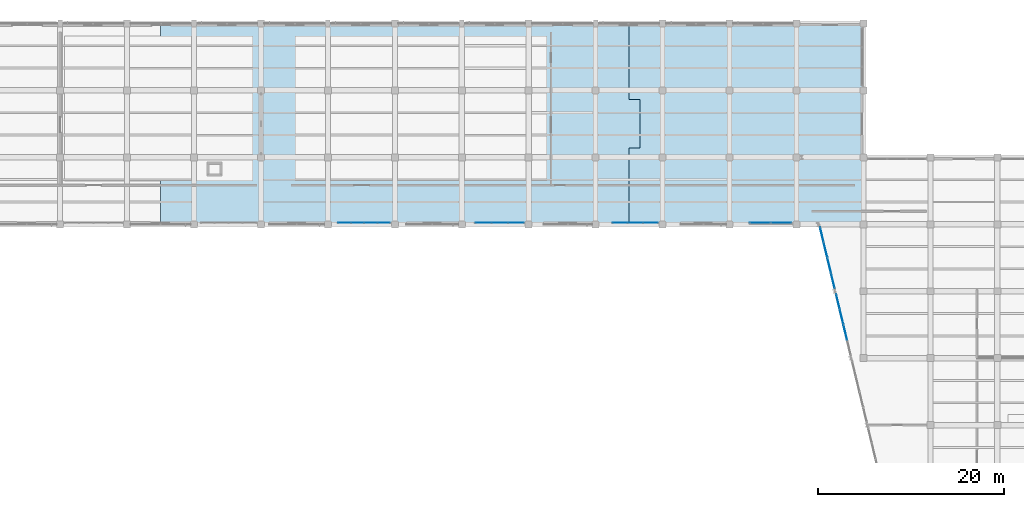
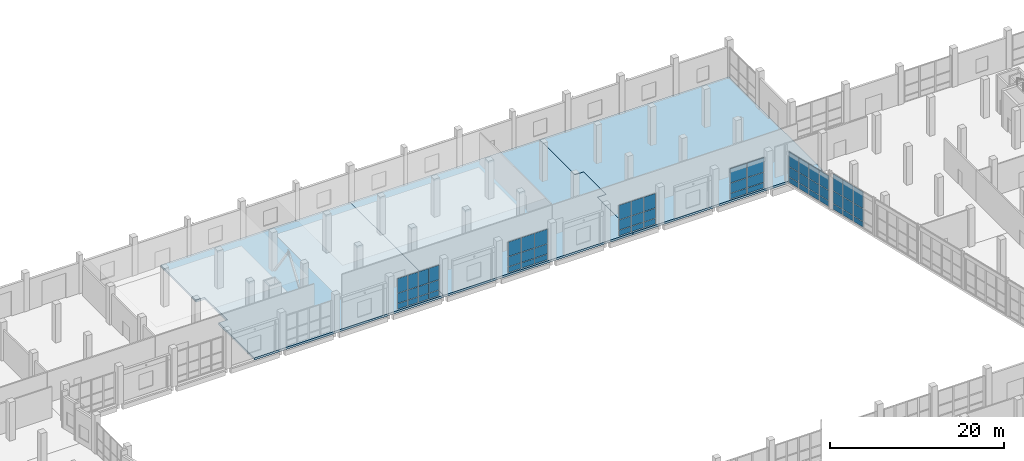
# One storey, part 91 of 137: 57 plates, 3 slabs, 6 elements without a shape of their own.
"""IFC4 building model written with IfcOpenShell, lengths in metres."""

from ifc_helpers import new_model, si_unit, direction, frame, origin, origin_2d, place, context, subcontext, project, spatial, polyline, rectangle, outline, extrude, material, layer, layer_set, type_object, element, aggregate, save


model = new_model("IFC4")

# Units and contexts
model_context = context("Model", 3, precision=1e-05, world=origin(), true_north=direction((0.0, 1.0)))
body_context = subcontext(model_context, "Body", "Model", "MODEL_VIEW")
ifc_project = project(units=[si_unit("LENGTHUNIT", "METRE"), si_unit("AREAUNIT", "SQUARE_METRE"), si_unit("VOLUMEUNIT", "CUBIC_METRE"), si_unit("PLANEANGLEUNIT", "RADIAN"), si_unit("MASSUNIT", "GRAM", prefix="KILO")], contexts=[model_context])

# Site, building, storey
site_placement = place(None, origin())
site = spatial("IfcSite", under=ifc_project, at=site_placement, CompositionType="ELEMENT")
building_placement = place(site_placement, origin())
building = spatial("IfcBuilding", under=site, at=building_placement, Name="Kalmorath City Hall", CompositionType="ELEMENT")
storey_placement = place(building_placement, origin())
storey = spatial("IfcBuildingStorey", under=building, at=storey_placement, Name="L00", CompositionType="ELEMENT", Elevation=0.0)

# Slabs
ifc_material_1 = material(Name="Concrete C40/50", Category="concrete")
ifc_layer_1 = layer(ifc_material_1, 0.300048828125)
ifc_layer_set_1 = layer_set([ifc_layer_1], Name="Concrete C40/50")
slab_type = type_object("IfcSlabType", Name="Concrete ground floor slab 300", PredefinedType="FLOOR", material=ifc_layer_set_1)
slab_1_placement = place(storey_placement, frame((0.0, 0.0, -0.300048828125)))
element("IfcSlab", 1, at=slab_1_placement, inside=storey, type_object=slab_type, Name="L00 Basalt Rear Committee Wing slab FS1-2", PredefinedType="FLOOR", context=body_context, shape_type="SweptSolid", body=[
    extrude(outline(polyline([(54.0, 101.800048828125), (55.14990234375, 101.800048828125), (55.14990234375, 107.0), (54.0, 107.0), (54.0, 115.199951171875), (79.199951171875, 115.199951171875), (79.199951171875, 93.60009765625), (54.0, 93.60009765625), (54.0, 101.800048828125)])), origin(), (0.0, 0.0, 1.0), 0.300048828125),
])
slab_2_placement = place(storey_placement, frame((0.0, 0.0, -0.300048828125)))
element("IfcSlab", 2, at=slab_2_placement, inside=storey, type_object=slab_type, Name="L00 Basalt Rear Committee Wing slab FS1-3", PredefinedType="FLOOR", context=body_context, shape_type="SweptSolid", body=[
    extrude(outline(polyline([(79.199951171875, 115.199951171875), (104.39990234375, 115.199951171875), (104.39990234375, 107.0), (105.550048828125, 107.0), (105.550048828125, 101.800048828125), (104.39990234375, 101.800048828125), (104.39990234375, 93.60009765625), (79.199951171875, 93.60009765625), (79.199951171875, 115.199951171875)])), origin(), (0.0, 0.0, 1.0), 0.300048828125),
])
slab_3_placement = place(storey_placement, frame((0.0, 0.0, -0.300048828125)))
element("IfcSlab", 3, at=slab_3_placement, inside=storey, type_object=slab_type, Name="L00 Basalt Rear Committee Wing slab FS1-4", PredefinedType="FLOOR", context=body_context, shape_type="SweptSolid", body=[
    extrude(outline(polyline([(104.39990234375, 93.60009765625), (104.39990234375, 101.800048828125), (105.550048828125, 101.800048828125), (105.550048828125, 107.0), (104.39990234375, 107.0), (104.39990234375, 115.199951171875), (129.60009765625, 115.199951171875), (129.60009765625, 93.60009765625), (104.39990234375, 93.60009765625)])), origin(), (0.0, 0.0, 1.0), 0.300048828125),
])

# Curtain wall, plates
ifc_material_2 = material(Name="Anodised aluminium and laminated glass", Category="aluminium")
curtain_wall_type_1 = type_object("IfcCurtainWallType", Name="Unitised hurricane curtain wall 4966x4411 M1550", PredefinedType="NOTDEFINED", material=ifc_material_2)
curtain_wall_1_placement = place(storey_placement, origin())
curtain_wall_1 = element("IfcCurtainWall", 4, at=curtain_wall_1_placement, inside=storey, type_object=curtain_wall_type_1, Name="L00 curtain wall CW-50X44M16 #49", PredefinedType="NOTDEFINED")
ifc_material_3 = material(Name="Hurricane laminated low-E glass", Category="glass")
ifc_layer_2 = layer(ifc_material_3, 0.028076171875)
ifc_layer_set_2 = layer_set([ifc_layer_2], Name="Hurricane laminated low-E glass")
plate_type_1 = type_object("IfcPlateType", Name="Courtyard solar-control glazed panel 28", PredefinedType="CURTAIN_PANEL", material=ifc_layer_set_2)
plate_1_placement = place(storey_placement, frame((106.691162109375, 93.760009765625, 0.06005859375), z_axis=(0.0, 0.0, 1.0), x_axis=(-1.0, 0.0, 0.0)))
plate_1 = element("IfcPlate", 5, at=plate_1_placement, type_object=plate_type_1, Name="CW-50X44M16 panel 1.1", PredefinedType="CURTAIN_PANEL", context=body_context, shape_type="SweptSolid", body=[
    extrude(rectangle(XDim=1.557861328125, YDim=0.028076171875, at=origin_2d()), origin(), (0.0, 0.0, 1.0), 0.760009765625),
])
plate_2_placement = place(storey_placement, frame((106.691162109375, 93.760009765625, 0.8798828125), z_axis=(0.0, 0.0, 1.0), x_axis=(-1.0, 0.0, 0.0)))
plate_2 = element("IfcPlate", 6, at=plate_2_placement, type_object=plate_type_1, Name="CW-50X44M16 panel 1.2", PredefinedType="CURTAIN_PANEL", context=body_context, shape_type="SweptSolid", body=[
    extrude(rectangle(XDim=1.557861328125, YDim=0.028076171875, at=origin_2d()), origin(), (0.0, 0.0, 1.0), 1.384033203125),
])
plate_3_placement = place(storey_placement, frame((106.691162109375, 93.760009765625, 2.32373046875), z_axis=(0.0, 0.0, 1.0), x_axis=(-1.0, 0.0, 0.0)))
plate_3 = element("IfcPlate", 7, at=plate_3_placement, type_object=plate_type_1, Name="CW-50X44M16 panel 1.3", PredefinedType="CURTAIN_PANEL", context=body_context, shape_type="SweptSolid", body=[
    extrude(rectangle(XDim=1.557861328125, YDim=0.028076171875, at=origin_2d()), origin(), (0.0, 0.0, 1.0), 2.027099609375),
])
plate_4_placement = place(storey_placement, frame((105.052001953125, 93.760009765625, 0.06005859375), z_axis=(0.0, 0.0, 1.0), x_axis=(-1.0, 0.0, 0.0)))
plate_4 = element("IfcPlate", 8, at=plate_4_placement, type_object=plate_type_1, Name="CW-50X44M16 panel 2.1", PredefinedType="CURTAIN_PANEL", context=body_context, shape_type="SweptSolid", body=[
    extrude(rectangle(XDim=1.59033203125, YDim=0.028076171875, at=origin_2d()), origin(), (0.0, 0.0, 1.0), 0.760009765625),
])
plate_5_placement = place(storey_placement, frame((105.052001953125, 93.760009765625, 0.8798828125), z_axis=(0.0, 0.0, 1.0), x_axis=(-1.0, 0.0, 0.0)))
plate_5 = element("IfcPlate", 9, at=plate_5_placement, type_object=plate_type_1, Name="CW-50X44M16 panel 2.2", PredefinedType="CURTAIN_PANEL", context=body_context, shape_type="SweptSolid", body=[
    extrude(rectangle(XDim=1.59033203125, YDim=0.028076171875, at=origin_2d()), origin(), (0.0, 0.0, 1.0), 1.384033203125),
])
plate_6_placement = place(storey_placement, frame((105.052001953125, 93.760009765625, 2.32373046875), z_axis=(0.0, 0.0, 1.0), x_axis=(-1.0, 0.0, 0.0)))
plate_6 = element("IfcPlate", 10, at=plate_6_placement, type_object=plate_type_1, Name="CW-50X44M16 panel 2.3", PredefinedType="CURTAIN_PANEL", context=body_context, shape_type="SweptSolid", body=[
    extrude(rectangle(XDim=1.59033203125, YDim=0.028076171875, at=origin_2d()), origin(), (0.0, 0.0, 1.0), 2.027099609375),
])
plate_7_placement = place(storey_placement, frame((103.412841796875, 93.760009765625, 0.06005859375), z_axis=(0.0, 0.0, 1.0), x_axis=(-1.0, 0.0, 0.0)))
plate_7 = element("IfcPlate", 11, at=plate_7_placement, type_object=plate_type_1, Name="CW-50X44M16 panel 3.1", PredefinedType="CURTAIN_PANEL", context=body_context, shape_type="SweptSolid", body=[
    extrude(rectangle(XDim=1.557861328125, YDim=0.028076171875, at=origin_2d()), origin(), (0.0, 0.0, 1.0), 0.760009765625),
])
plate_8_placement = place(storey_placement, frame((103.412841796875, 93.760009765625, 0.8798828125), z_axis=(0.0, 0.0, 1.0), x_axis=(-1.0, 0.0, 0.0)))
plate_8 = element("IfcPlate", 12, at=plate_8_placement, type_object=plate_type_1, Name="CW-50X44M16 panel 3.2", PredefinedType="CURTAIN_PANEL", context=body_context, shape_type="SweptSolid", body=[
    extrude(rectangle(XDim=1.557861328125, YDim=0.028076171875, at=origin_2d()), origin(), (0.0, 0.0, 1.0), 1.384033203125),
])
plate_9_placement = place(storey_placement, frame((103.412841796875, 93.760009765625, 2.32373046875), z_axis=(0.0, 0.0, 1.0), x_axis=(-1.0, 0.0, 0.0)))
plate_9 = element("IfcPlate", 13, at=plate_9_placement, type_object=plate_type_1, Name="CW-50X44M16 panel 3.3", PredefinedType="CURTAIN_PANEL", context=body_context, shape_type="SweptSolid", body=[
    extrude(rectangle(XDim=1.557861328125, YDim=0.028076171875, at=origin_2d()), origin(), (0.0, 0.0, 1.0), 2.027099609375),
])
aggregate(curtain_wall_1, [plate_1, plate_2, plate_3, plate_4, plate_5, plate_6, plate_7, plate_8, plate_9])

ifc_material_4 = material(Name="Anodised aluminium and laminated glass", Category="aluminium")
curtain_wall_type_2 = type_object("IfcCurtainWallType", Name="Unitised hurricane curtain wall 5320x4411 M1550", PredefinedType="NOTDEFINED", material=ifc_material_4)
curtain_wall_2_placement = place(storey_placement, origin())
curtain_wall_2 = element("IfcCurtainWall", 14, at=curtain_wall_2_placement, inside=storey, type_object=curtain_wall_type_2, Name="L00 curtain wall CW-53X44M16 #50", PredefinedType="NOTDEFINED")
plate_10_placement = place(storey_placement, frame((92.232177734375, 93.760009765625, 0.06005859375), z_axis=(0.0, 0.0, 1.0), x_axis=(-1.0, 0.0, 0.0)))
plate_10 = element("IfcPlate", 15, at=plate_10_placement, type_object=plate_type_1, Name="CW-53X44M16 panel 1.1", PredefinedType="CURTAIN_PANEL", context=body_context, shape_type="SweptSolid", body=[
    extrude(rectangle(XDim=1.67578125, YDim=0.028076171875, at=origin_2d()), origin(), (0.0, 0.0, 1.0), 0.760009765625),
])
plate_11_placement = place(storey_placement, frame((92.232177734375, 93.760009765625, 0.8798828125), z_axis=(0.0, 0.0, 1.0), x_axis=(-1.0, 0.0, 0.0)))
plate_11 = element("IfcPlate", 16, at=plate_11_placement, type_object=plate_type_1, Name="CW-53X44M16 panel 1.2", PredefinedType="CURTAIN_PANEL", context=body_context, shape_type="SweptSolid", body=[
    extrude(rectangle(XDim=1.67578125, YDim=0.028076171875, at=origin_2d()), origin(), (0.0, 0.0, 1.0), 1.384033203125),
])
plate_12_placement = place(storey_placement, frame((92.232177734375, 93.760009765625, 2.32373046875), z_axis=(0.0, 0.0, 1.0), x_axis=(-1.0, 0.0, 0.0)))
plate_12 = element("IfcPlate", 17, at=plate_12_placement, type_object=plate_type_1, Name="CW-53X44M16 panel 1.3", PredefinedType="CURTAIN_PANEL", context=body_context, shape_type="SweptSolid", body=[
    extrude(rectangle(XDim=1.67578125, YDim=0.028076171875, at=origin_2d()), origin(), (0.0, 0.0, 1.0), 2.027099609375),
])
plate_13_placement = place(storey_placement, frame((90.47509765625, 93.760009765625, 0.06005859375), z_axis=(0.0, 0.0, 1.0), x_axis=(-1.0, 0.0, 0.0)))
plate_13 = element("IfcPlate", 18, at=plate_13_placement, type_object=plate_type_1, Name="CW-53X44M16 panel 2.1", PredefinedType="CURTAIN_PANEL", context=body_context, shape_type="SweptSolid", body=[
    extrude(rectangle(XDim=1.708251953125, YDim=0.028076171875, at=origin_2d()), origin(), (0.0, 0.0, 1.0), 0.760009765625),
])
plate_14_placement = place(storey_placement, frame((90.47509765625, 93.760009765625, 0.8798828125), z_axis=(0.0, 0.0, 1.0), x_axis=(-1.0, 0.0, 0.0)))
plate_14 = element("IfcPlate", 19, at=plate_14_placement, type_object=plate_type_1, Name="CW-53X44M16 panel 2.2", PredefinedType="CURTAIN_PANEL", context=body_context, shape_type="SweptSolid", body=[
    extrude(rectangle(XDim=1.708251953125, YDim=0.028076171875, at=origin_2d()), origin(), (0.0, 0.0, 1.0), 1.384033203125),
])
plate_15_placement = place(storey_placement, frame((90.47509765625, 93.760009765625, 2.32373046875), z_axis=(0.0, 0.0, 1.0), x_axis=(-1.0, 0.0, 0.0)))
plate_15 = element("IfcPlate", 20, at=plate_15_placement, type_object=plate_type_1, Name="CW-53X44M16 panel 2.3", PredefinedType="CURTAIN_PANEL", context=body_context, shape_type="SweptSolid", body=[
    extrude(rectangle(XDim=1.708251953125, YDim=0.028076171875, at=origin_2d()), origin(), (0.0, 0.0, 1.0), 2.027099609375),
])
plate_16_placement = place(storey_placement, frame((88.718017578125, 93.760009765625, 0.06005859375), z_axis=(0.0, 0.0, 1.0), x_axis=(-1.0, 0.0, 0.0)))
plate_16 = element("IfcPlate", 21, at=plate_16_placement, type_object=plate_type_1, Name="CW-53X44M16 panel 3.1", PredefinedType="CURTAIN_PANEL", context=body_context, shape_type="SweptSolid", body=[
    extrude(rectangle(XDim=1.67578125, YDim=0.028076171875, at=origin_2d()), origin(), (0.0, 0.0, 1.0), 0.760009765625),
])
plate_17_placement = place(storey_placement, frame((88.718017578125, 93.760009765625, 0.8798828125), z_axis=(0.0, 0.0, 1.0), x_axis=(-1.0, 0.0, 0.0)))
plate_17 = element("IfcPlate", 22, at=plate_17_placement, type_object=plate_type_1, Name="CW-53X44M16 panel 3.2", PredefinedType="CURTAIN_PANEL", context=body_context, shape_type="SweptSolid", body=[
    extrude(rectangle(XDim=1.67578125, YDim=0.028076171875, at=origin_2d()), origin(), (0.0, 0.0, 1.0), 1.384033203125),
])
plate_18_placement = place(storey_placement, frame((88.718017578125, 93.760009765625, 2.32373046875), z_axis=(0.0, 0.0, 1.0), x_axis=(-1.0, 0.0, 0.0)))
plate_18 = element("IfcPlate", 23, at=plate_18_placement, type_object=plate_type_1, Name="CW-53X44M16 panel 3.3", PredefinedType="CURTAIN_PANEL", context=body_context, shape_type="SweptSolid", body=[
    extrude(rectangle(XDim=1.67578125, YDim=0.028076171875, at=origin_2d()), origin(), (0.0, 0.0, 1.0), 2.027099609375),
])
aggregate(curtain_wall_2, [plate_10, plate_11, plate_12, plate_13, plate_14, plate_15, plate_16, plate_17, plate_18])

ifc_material_5 = material(Name="Anodised aluminium and laminated glass", Category="aluminium")
curtain_wall_type_3 = type_object("IfcCurtainWallType", Name="Unitised hurricane curtain wall 5674x4411 M1550", PredefinedType="NOTDEFINED", material=ifc_material_5)
curtain_wall_3_placement = place(storey_placement, origin())
curtain_wall_3 = element("IfcCurtainWall", 24, at=curtain_wall_3_placement, inside=storey, type_object=curtain_wall_type_3, Name="L00 curtain wall CW-57X44M16 #51", PredefinedType="NOTDEFINED")
plate_19_placement = place(storey_placement, frame((78.009521484375, 93.760009765625, 0.06005859375), z_axis=(0.0, 0.0, 1.0), x_axis=(-1.0, 0.0, 0.0)))
plate_19 = element("IfcPlate", 25, at=plate_19_placement, type_object=plate_type_1, Name="CW-57X44M16 panel 1.1", PredefinedType="CURTAIN_PANEL", context=body_context, shape_type="SweptSolid", body=[
    extrude(rectangle(XDim=1.32080078125, YDim=0.028076171875, at=origin_2d()), origin(), (0.0, 0.0, 1.0), 0.760009765625),
])
plate_20_placement = place(storey_placement, frame((78.009521484375, 93.760009765625, 0.8798828125), z_axis=(0.0, 0.0, 1.0), x_axis=(-1.0, 0.0, 0.0)))
plate_20 = element("IfcPlate", 26, at=plate_20_placement, type_object=plate_type_1, Name="CW-57X44M16 panel 1.2", PredefinedType="CURTAIN_PANEL", context=body_context, shape_type="SweptSolid", body=[
    extrude(rectangle(XDim=1.32080078125, YDim=0.028076171875, at=origin_2d()), origin(), (0.0, 0.0, 1.0), 1.384033203125),
])
plate_21_placement = place(storey_placement, frame((78.009521484375, 93.760009765625, 2.32373046875), z_axis=(0.0, 0.0, 1.0), x_axis=(-1.0, 0.0, 0.0)))
plate_21 = element("IfcPlate", 27, at=plate_21_placement, type_object=plate_type_1, Name="CW-57X44M16 panel 1.3", PredefinedType="CURTAIN_PANEL", context=body_context, shape_type="SweptSolid", body=[
    extrude(rectangle(XDim=1.32080078125, YDim=0.028076171875, at=origin_2d()), origin(), (0.0, 0.0, 1.0), 2.027099609375),
])
plate_22_placement = place(storey_placement, frame((76.607421875, 93.760009765625, 0.06005859375), z_axis=(0.0, 0.0, 1.0), x_axis=(-1.0, 0.0, 0.0)))
plate_22 = element("IfcPlate", 28, at=plate_22_placement, type_object=plate_type_1, Name="CW-57X44M16 panel 2.1", PredefinedType="CURTAIN_PANEL", context=body_context, shape_type="SweptSolid", body=[
    extrude(rectangle(XDim=1.353515625, YDim=0.028076171875, at=origin_2d()), origin(), (0.0, 0.0, 1.0), 0.760009765625),
])
plate_23_placement = place(storey_placement, frame((76.607421875, 93.760009765625, 0.8798828125), z_axis=(0.0, 0.0, 1.0), x_axis=(-1.0, 0.0, 0.0)))
plate_23 = element("IfcPlate", 29, at=plate_23_placement, type_object=plate_type_1, Name="CW-57X44M16 panel 2.2", PredefinedType="CURTAIN_PANEL", context=body_context, shape_type="SweptSolid", body=[
    extrude(rectangle(XDim=1.353515625, YDim=0.028076171875, at=origin_2d()), origin(), (0.0, 0.0, 1.0), 1.384033203125),
])
plate_24_placement = place(storey_placement, frame((76.607421875, 93.760009765625, 2.32373046875), z_axis=(0.0, 0.0, 1.0), x_axis=(-1.0, 0.0, 0.0)))
plate_24 = element("IfcPlate", 30, at=plate_24_placement, type_object=plate_type_1, Name="CW-57X44M16 panel 2.3", PredefinedType="CURTAIN_PANEL", context=body_context, shape_type="SweptSolid", body=[
    extrude(rectangle(XDim=1.353515625, YDim=0.028076171875, at=origin_2d()), origin(), (0.0, 0.0, 1.0), 2.027099609375),
])
plate_25_placement = place(storey_placement, frame((75.18896484375, 93.760009765625, 0.06005859375), z_axis=(0.0, 0.0, 1.0), x_axis=(-1.0, 0.0, 0.0)))
plate_25 = element("IfcPlate", 31, at=plate_25_placement, type_object=plate_type_1, Name="CW-57X44M16 panel 3.1", PredefinedType="CURTAIN_PANEL", context=body_context, shape_type="SweptSolid", body=[
    extrude(rectangle(XDim=1.353515625, YDim=0.028076171875, at=origin_2d()), origin(), (0.0, 0.0, 1.0), 0.760009765625),
])
plate_26_placement = place(storey_placement, frame((75.18896484375, 93.760009765625, 0.8798828125), z_axis=(0.0, 0.0, 1.0), x_axis=(-1.0, 0.0, 0.0)))
plate_26 = element("IfcPlate", 32, at=plate_26_placement, type_object=plate_type_1, Name="CW-57X44M16 panel 3.2", PredefinedType="CURTAIN_PANEL", context=body_context, shape_type="SweptSolid", body=[
    extrude(rectangle(XDim=1.353515625, YDim=0.028076171875, at=origin_2d()), origin(), (0.0, 0.0, 1.0), 1.384033203125),
])
plate_27_placement = place(storey_placement, frame((75.18896484375, 93.760009765625, 2.32373046875), z_axis=(0.0, 0.0, 1.0), x_axis=(-1.0, 0.0, 0.0)))
plate_27 = element("IfcPlate", 33, at=plate_27_placement, type_object=plate_type_1, Name="CW-57X44M16 panel 3.3", PredefinedType="CURTAIN_PANEL", context=body_context, shape_type="SweptSolid", body=[
    extrude(rectangle(XDim=1.353515625, YDim=0.028076171875, at=origin_2d()), origin(), (0.0, 0.0, 1.0), 2.027099609375),
])
plate_28_placement = place(storey_placement, frame((73.786865234375, 93.760009765625, 0.06005859375), z_axis=(0.0, 0.0, 1.0), x_axis=(-1.0, 0.0, 0.0)))
plate_28 = element("IfcPlate", 34, at=plate_28_placement, type_object=plate_type_1, Name="CW-57X44M16 panel 4.1", PredefinedType="CURTAIN_PANEL", context=body_context, shape_type="SweptSolid", body=[
    extrude(rectangle(XDim=1.32080078125, YDim=0.028076171875, at=origin_2d()), origin(), (0.0, 0.0, 1.0), 0.760009765625),
])
plate_29_placement = place(storey_placement, frame((73.786865234375, 93.760009765625, 0.8798828125), z_axis=(0.0, 0.0, 1.0), x_axis=(-1.0, 0.0, 0.0)))
plate_29 = element("IfcPlate", 35, at=plate_29_placement, type_object=plate_type_1, Name="CW-57X44M16 panel 4.2", PredefinedType="CURTAIN_PANEL", context=body_context, shape_type="SweptSolid", body=[
    extrude(rectangle(XDim=1.32080078125, YDim=0.028076171875, at=origin_2d()), origin(), (0.0, 0.0, 1.0), 1.384033203125),
])
plate_30_placement = place(storey_placement, frame((73.786865234375, 93.760009765625, 2.32373046875), z_axis=(0.0, 0.0, 1.0), x_axis=(-1.0, 0.0, 0.0)))
plate_30 = element("IfcPlate", 36, at=plate_30_placement, type_object=plate_type_1, Name="CW-57X44M16 panel 4.3", PredefinedType="CURTAIN_PANEL", context=body_context, shape_type="SweptSolid", body=[
    extrude(rectangle(XDim=1.32080078125, YDim=0.028076171875, at=origin_2d()), origin(), (0.0, 0.0, 1.0), 2.027099609375),
])
aggregate(curtain_wall_3, [plate_19, plate_20, plate_21, plate_22, plate_23, plate_24, plate_25, plate_26, plate_27, plate_28, plate_29, plate_30])

ifc_material_6 = material(Name="Anodised aluminium and laminated glass", Category="aluminium")
curtain_wall_type_4 = type_object("IfcCurtainWallType", Name="Unitised hurricane curtain wall 6849x5120 M1850", PredefinedType="NOTDEFINED", material=ifc_material_6)
curtain_wall_4_placement = place(storey_placement, origin())
curtain_wall_4 = element("IfcCurtainWall", 37, at=curtain_wall_4_placement, inside=storey, type_object=curtain_wall_type_4, Name="L00 curtain wall CW-68X51M18 #46", PredefinedType="NOTDEFINED")
ifc_material_7 = material(Name="Hurricane laminated low-E glass", Category="glass")
ifc_layer_3 = layer(ifc_material_7, 0.035888671875)
ifc_layer_set_3 = layer_set([ifc_layer_3], Name="Hurricane laminated low-E glass")
plate_type_2 = type_object("IfcPlateType", Name="Library acoustic low-E glazed panel 36", PredefinedType="CURTAIN_PANEL", material=ifc_layer_set_3)
plate_31_placement = place(storey_placement, frame((127.656982421875, 81.967529296875, 0.06005859375), z_axis=(0.0, 0.0, 1.0), x_axis=(-0.233455781305, 0.97236741933, 0.0)))
plate_31 = element("IfcPlate", 38, at=plate_31_placement, type_object=plate_type_2, Name="CW-68X51M18 panel 2.1", PredefinedType="CURTAIN_PANEL", context=body_context, shape_type="SweptSolid", body=[
    extrude(rectangle(XDim=1.63720703125, YDim=0.035888671875, at=origin_2d()), origin(), (0.0, 0.0, 1.0), 0.760009765625),
])
plate_32_placement = place(storey_placement, frame((127.656982421875, 81.967529296875, 0.880126953125), z_axis=(0.0, 0.0, 1.0), x_axis=(-0.233455781305, 0.97236741933, 0.0)))
plate_32 = element("IfcPlate", 39, at=plate_32_placement, type_object=plate_type_2, Name="CW-68X51M18 panel 2.2", PredefinedType="CURTAIN_PANEL", context=body_context, shape_type="SweptSolid", body=[
    extrude(rectangle(XDim=1.63720703125, YDim=0.035888671875, at=origin_2d()), origin(), (0.0, 0.0, 1.0), 1.751953125),
])
plate_33_placement = place(storey_placement, frame((127.656982421875, 81.967529296875, 2.69189453125), z_axis=(0.0, 0.0, 1.0), x_axis=(-0.233455781305, 0.97236741933, 0.0)))
plate_33 = element("IfcPlate", 40, at=plate_33_placement, type_object=plate_type_2, Name="CW-68X51M18 panel 2.3", PredefinedType="CURTAIN_PANEL", context=body_context, shape_type="SweptSolid", body=[
    extrude(rectangle(XDim=1.63720703125, YDim=0.035888671875, at=origin_2d()), origin(), (0.0, 0.0, 1.0), 2.367919921875),
])
plate_34_placement = place(storey_placement, frame((127.25732421875, 83.632568359375, 0.06005859375), z_axis=(0.0, 0.0, 1.0), x_axis=(-0.233455781305, 0.97236741933, 0.0)))
plate_34 = element("IfcPlate", 41, at=plate_34_placement, type_object=plate_type_2, Name="CW-68X51M18 panel 3.1", PredefinedType="CURTAIN_PANEL", context=body_context, shape_type="SweptSolid", body=[
    extrude(rectangle(XDim=1.63720703125, YDim=0.035888671875, at=origin_2d()), origin(), (0.0, 0.0, 1.0), 0.760009765625),
])
plate_35_placement = place(storey_placement, frame((127.25732421875, 83.632568359375, 0.880126953125), z_axis=(0.0, 0.0, 1.0), x_axis=(-0.233455781305, 0.97236741933, 0.0)))
plate_35 = element("IfcPlate", 42, at=plate_35_placement, type_object=plate_type_2, Name="CW-68X51M18 panel 3.2", PredefinedType="CURTAIN_PANEL", context=body_context, shape_type="SweptSolid", body=[
    extrude(rectangle(XDim=1.63720703125, YDim=0.035888671875, at=origin_2d()), origin(), (0.0, 0.0, 1.0), 1.751953125),
])
plate_36_placement = place(storey_placement, frame((127.25732421875, 83.632568359375, 2.69189453125), z_axis=(0.0, 0.0, 1.0), x_axis=(-0.233455781305, 0.97236741933, 0.0)))
plate_36 = element("IfcPlate", 43, at=plate_36_placement, type_object=plate_type_2, Name="CW-68X51M18 panel 3.3", PredefinedType="CURTAIN_PANEL", context=body_context, shape_type="SweptSolid", body=[
    extrude(rectangle(XDim=1.63720703125, YDim=0.035888671875, at=origin_2d()), origin(), (0.0, 0.0, 1.0), 2.367919921875),
])
plate_37_placement = place(storey_placement, frame((126.86181640625, 85.279296875, 0.06005859375), z_axis=(0.0, 0.0, 1.0), x_axis=(-0.233455781305, 0.97236741933, 0.0)))
plate_37 = element("IfcPlate", 44, at=plate_37_placement, type_object=plate_type_2, Name="CW-68X51M18 panel 4.1", PredefinedType="CURTAIN_PANEL", context=body_context, shape_type="SweptSolid", body=[
    extrude(rectangle(XDim=1.599853515625, YDim=0.035888671875, at=origin_2d()), origin(), (0.0, 0.0, 1.0), 0.760009765625),
])
plate_38_placement = place(storey_placement, frame((126.86181640625, 85.279296875, 0.880126953125), z_axis=(0.0, 0.0, 1.0), x_axis=(-0.233455781305, 0.97236741933, 0.0)))
plate_38 = element("IfcPlate", 45, at=plate_38_placement, type_object=plate_type_2, Name="CW-68X51M18 panel 4.2", PredefinedType="CURTAIN_PANEL", context=body_context, shape_type="SweptSolid", body=[
    extrude(rectangle(XDim=1.599853515625, YDim=0.035888671875, at=origin_2d()), origin(), (0.0, 0.0, 1.0), 1.751953125),
])
plate_39_placement = place(storey_placement, frame((126.86181640625, 85.279296875, 2.69189453125), z_axis=(0.0, 0.0, 1.0), x_axis=(-0.233455781305, 0.97236741933, 0.0)))
plate_39 = element("IfcPlate", 46, at=plate_39_placement, type_object=plate_type_2, Name="CW-68X51M18 panel 4.3", PredefinedType="CURTAIN_PANEL", context=body_context, shape_type="SweptSolid", body=[
    extrude(rectangle(XDim=1.599853515625, YDim=0.035888671875, at=origin_2d()), origin(), (0.0, 0.0, 1.0), 2.367919921875),
])
aggregate(curtain_wall_4, [plate_31, plate_32, plate_33, plate_34, plate_35, plate_36, plate_37, plate_38, plate_39])

ifc_material_8 = material(Name="Anodised aluminium and laminated glass", Category="aluminium")
curtain_wall_type_5 = type_object("IfcCurtainWallType", Name="Unitised hurricane curtain wall 6849x4450 M1850", PredefinedType="NOTDEFINED", material=ifc_material_8)
curtain_wall_5_placement = place(storey_placement, origin())
curtain_wall_5 = element("IfcCurtainWall", 47, at=curtain_wall_5_placement, inside=storey, type_object=curtain_wall_type_5, Name="L00 curtain wall CW-68X44M18 #47", PredefinedType="NOTDEFINED")
plate_40_placement = place(storey_placement, frame((126.32373046875, 87.520751953125, 0.06005859375), z_axis=(0.0, 0.0, 1.0), x_axis=(-0.233455781305, 0.97236741933, 0.0)))
plate_40 = element("IfcPlate", 48, at=plate_40_placement, type_object=plate_type_2, Name="CW-68X44M18 panel 1.1", PredefinedType="CURTAIN_PANEL", context=body_context, shape_type="SweptSolid", body=[
    extrude(rectangle(XDim=1.599853515625, YDim=0.035888671875, at=origin_2d()), origin(), (0.0, 0.0, 1.0), 0.760009765625),
])
plate_41_placement = place(storey_placement, frame((126.32373046875, 87.520751953125, 0.8798828125), z_axis=(0.0, 0.0, 1.0), x_axis=(-0.233455781305, 0.97236741933, 0.0)))
plate_41 = element("IfcPlate", 49, at=plate_41_placement, type_object=plate_type_2, Name="CW-68X44M18 panel 1.2", PredefinedType="CURTAIN_PANEL", context=body_context, shape_type="SweptSolid", body=[
    extrude(rectangle(XDim=1.599853515625, YDim=0.035888671875, at=origin_2d()), origin(), (0.0, 0.0, 1.0), 1.404052734375),
])
plate_42_placement = place(storey_placement, frame((126.32373046875, 87.520751953125, 2.343994140625), z_axis=(0.0, 0.0, 1.0), x_axis=(-0.233455781305, 0.97236741933, 0.0)))
plate_42 = element("IfcPlate", 50, at=plate_42_placement, type_object=plate_type_2, Name="CW-68X44M18 panel 1.3", PredefinedType="CURTAIN_PANEL", context=body_context, shape_type="SweptSolid", body=[
    extrude(rectangle(XDim=1.599853515625, YDim=0.035888671875, at=origin_2d()), origin(), (0.0, 0.0, 1.0), 2.0458984375),
])
plate_43_placement = place(storey_placement, frame((125.928466796875, 89.16748046875, 0.06005859375), z_axis=(0.0, 0.0, 1.0), x_axis=(-0.233455781305, 0.97236741933, 0.0)))
plate_43 = element("IfcPlate", 51, at=plate_43_placement, type_object=plate_type_2, Name="CW-68X44M18 panel 2.1", PredefinedType="CURTAIN_PANEL", context=body_context, shape_type="SweptSolid", body=[
    extrude(rectangle(XDim=1.63720703125, YDim=0.035888671875, at=origin_2d()), origin(), (0.0, 0.0, 1.0), 0.760009765625),
])
plate_44_placement = place(storey_placement, frame((125.928466796875, 89.16748046875, 0.8798828125), z_axis=(0.0, 0.0, 1.0), x_axis=(-0.233455781305, 0.97236741933, 0.0)))
plate_44 = element("IfcPlate", 52, at=plate_44_placement, type_object=plate_type_2, Name="CW-68X44M18 panel 2.2", PredefinedType="CURTAIN_PANEL", context=body_context, shape_type="SweptSolid", body=[
    extrude(rectangle(XDim=1.63720703125, YDim=0.035888671875, at=origin_2d()), origin(), (0.0, 0.0, 1.0), 1.404052734375),
])
plate_45_placement = place(storey_placement, frame((125.928466796875, 89.16748046875, 2.343994140625), z_axis=(0.0, 0.0, 1.0), x_axis=(-0.233455781305, 0.97236741933, 0.0)))
plate_45 = element("IfcPlate", 53, at=plate_45_placement, type_object=plate_type_2, Name="CW-68X44M18 panel 2.3", PredefinedType="CURTAIN_PANEL", context=body_context, shape_type="SweptSolid", body=[
    extrude(rectangle(XDim=1.63720703125, YDim=0.035888671875, at=origin_2d()), origin(), (0.0, 0.0, 1.0), 2.0458984375),
])
plate_46_placement = place(storey_placement, frame((125.528564453125, 90.83251953125, 0.06005859375), z_axis=(0.0, 0.0, 1.0), x_axis=(-0.233455781305, 0.97236741933, 0.0)))
plate_46 = element("IfcPlate", 54, at=plate_46_placement, type_object=plate_type_2, Name="CW-68X44M18 panel 3.1", PredefinedType="CURTAIN_PANEL", context=body_context, shape_type="SweptSolid", body=[
    extrude(rectangle(XDim=1.63720703125, YDim=0.035888671875, at=origin_2d()), origin(), (0.0, 0.0, 1.0), 0.760009765625),
])
plate_47_placement = place(storey_placement, frame((125.528564453125, 90.83251953125, 0.8798828125), z_axis=(0.0, 0.0, 1.0), x_axis=(-0.233455781305, 0.97236741933, 0.0)))
plate_47 = element("IfcPlate", 55, at=plate_47_placement, type_object=plate_type_2, Name="CW-68X44M18 panel 3.2", PredefinedType="CURTAIN_PANEL", context=body_context, shape_type="SweptSolid", body=[
    extrude(rectangle(XDim=1.63720703125, YDim=0.035888671875, at=origin_2d()), origin(), (0.0, 0.0, 1.0), 1.404052734375),
])
plate_48_placement = place(storey_placement, frame((125.528564453125, 90.83251953125, 2.343994140625), z_axis=(0.0, 0.0, 1.0), x_axis=(-0.233455781305, 0.97236741933, 0.0)))
plate_48 = element("IfcPlate", 56, at=plate_48_placement, type_object=plate_type_2, Name="CW-68X44M18 panel 3.3", PredefinedType="CURTAIN_PANEL", context=body_context, shape_type="SweptSolid", body=[
    extrude(rectangle(XDim=1.63720703125, YDim=0.035888671875, at=origin_2d()), origin(), (0.0, 0.0, 1.0), 2.0458984375),
])
plate_49_placement = place(storey_placement, frame((125.13330078125, 92.479248046875, 0.06005859375), z_axis=(0.0, 0.0, 1.0), x_axis=(-0.233455781305, 0.97236741933, 0.0)))
plate_49 = element("IfcPlate", 57, at=plate_49_placement, type_object=plate_type_2, Name="CW-68X44M18 panel 4.1", PredefinedType="CURTAIN_PANEL", context=body_context, shape_type="SweptSolid", body=[
    extrude(rectangle(XDim=1.599853515625, YDim=0.035888671875, at=origin_2d()), origin(), (0.0, 0.0, 1.0), 0.760009765625),
])
plate_50_placement = place(storey_placement, frame((125.13330078125, 92.479248046875, 0.8798828125), z_axis=(0.0, 0.0, 1.0), x_axis=(-0.233455781305, 0.97236741933, 0.0)))
plate_50 = element("IfcPlate", 58, at=plate_50_placement, type_object=plate_type_2, Name="CW-68X44M18 panel 4.2", PredefinedType="CURTAIN_PANEL", context=body_context, shape_type="SweptSolid", body=[
    extrude(rectangle(XDim=1.599853515625, YDim=0.035888671875, at=origin_2d()), origin(), (0.0, 0.0, 1.0), 1.404052734375),
])
plate_51_placement = place(storey_placement, frame((125.13330078125, 92.479248046875, 2.343994140625), z_axis=(0.0, 0.0, 1.0), x_axis=(-0.233455781305, 0.97236741933, 0.0)))
plate_51 = element("IfcPlate", 59, at=plate_51_placement, type_object=plate_type_2, Name="CW-68X44M18 panel 4.3", PredefinedType="CURTAIN_PANEL", context=body_context, shape_type="SweptSolid", body=[
    extrude(rectangle(XDim=1.599853515625, YDim=0.035888671875, at=origin_2d()), origin(), (0.0, 0.0, 1.0), 2.0458984375),
])
aggregate(curtain_wall_5, [plate_40, plate_41, plate_42, plate_43, plate_44, plate_45, plate_46, plate_47, plate_48, plate_49, plate_50, plate_51])

ifc_material_9 = material(Name="Anodised aluminium and laminated glass", Category="aluminium")
curtain_wall_type_6 = type_object("IfcCurtainWallType", Name="Unitised hurricane curtain wall 4612x4411 M1850", PredefinedType="NOTDEFINED", material=ifc_material_9)
curtain_wall_6_placement = place(storey_placement, origin())
curtain_wall_6 = element("IfcCurtainWall", 60, at=curtain_wall_6_placement, inside=storey, type_object=curtain_wall_type_6, Name="L00 curtain wall CW-46X44M18 #48", PredefinedType="NOTDEFINED")
plate_52_placement = place(storey_placement, frame((120.76318359375, 93.760009765625, 0.06005859375), z_axis=(0.0, 0.0, 1.0), x_axis=(-1.0, 0.0, 0.0)))
plate_52 = element("IfcPlate", 61, at=plate_52_placement, type_object=plate_type_2, Name="CW-46X44M18 panel 1.1", PredefinedType="CURTAIN_PANEL", context=body_context, shape_type="SweptSolid", body=[
    extrude(rectangle(XDim=2.193603515625, YDim=0.035888671875, at=origin_2d()), origin(), (0.0, 0.0, 1.0), 0.760009765625),
])
plate_53_placement = place(storey_placement, frame((120.76318359375, 93.760009765625, 0.8798828125), z_axis=(0.0, 0.0, 1.0), x_axis=(-1.0, 0.0, 0.0)))
plate_53 = element("IfcPlate", 62, at=plate_53_placement, type_object=plate_type_2, Name="CW-46X44M18 panel 1.2", PredefinedType="CURTAIN_PANEL", context=body_context, shape_type="SweptSolid", body=[
    extrude(rectangle(XDim=2.193603515625, YDim=0.035888671875, at=origin_2d()), origin(), (0.0, 0.0, 1.0), 1.384033203125),
])
plate_54_placement = place(storey_placement, frame((120.76318359375, 93.760009765625, 2.32373046875), z_axis=(0.0, 0.0, 1.0), x_axis=(-1.0, 0.0, 0.0)))
plate_54 = element("IfcPlate", 63, at=plate_54_placement, type_object=plate_type_2, Name="CW-46X44M18 panel 1.3", PredefinedType="CURTAIN_PANEL", context=body_context, shape_type="SweptSolid", body=[
    extrude(rectangle(XDim=2.193603515625, YDim=0.035888671875, at=origin_2d()), origin(), (0.0, 0.0, 1.0), 2.027099609375),
])
plate_55_placement = place(storey_placement, frame((118.49462890625, 93.760009765625, 0.06005859375), z_axis=(0.0, 0.0, 1.0), x_axis=(-1.0, 0.0, 0.0)))
plate_55 = element("IfcPlate", 64, at=plate_55_placement, type_object=plate_type_2, Name="CW-46X44M18 panel 2.1", PredefinedType="CURTAIN_PANEL", context=body_context, shape_type="SweptSolid", body=[
    extrude(rectangle(XDim=2.193603515625, YDim=0.035888671875, at=origin_2d()), origin(), (0.0, 0.0, 1.0), 0.760009765625),
])
plate_56_placement = place(storey_placement, frame((118.49462890625, 93.760009765625, 0.8798828125), z_axis=(0.0, 0.0, 1.0), x_axis=(-1.0, 0.0, 0.0)))
plate_56 = element("IfcPlate", 65, at=plate_56_placement, type_object=plate_type_2, Name="CW-46X44M18 panel 2.2", PredefinedType="CURTAIN_PANEL", context=body_context, shape_type="SweptSolid", body=[
    extrude(rectangle(XDim=2.193603515625, YDim=0.035888671875, at=origin_2d()), origin(), (0.0, 0.0, 1.0), 1.384033203125),
])
plate_57_placement = place(storey_placement, frame((118.49462890625, 93.760009765625, 2.32373046875), z_axis=(0.0, 0.0, 1.0), x_axis=(-1.0, 0.0, 0.0)))
plate_57 = element("IfcPlate", 66, at=plate_57_placement, type_object=plate_type_2, Name="CW-46X44M18 panel 2.3", PredefinedType="CURTAIN_PANEL", context=body_context, shape_type="SweptSolid", body=[
    extrude(rectangle(XDim=2.193603515625, YDim=0.035888671875, at=origin_2d()), origin(), (0.0, 0.0, 1.0), 2.027099609375),
])
aggregate(curtain_wall_6, [plate_52, plate_53, plate_54, plate_55, plate_56, plate_57])

save(model, "model.ifc")
